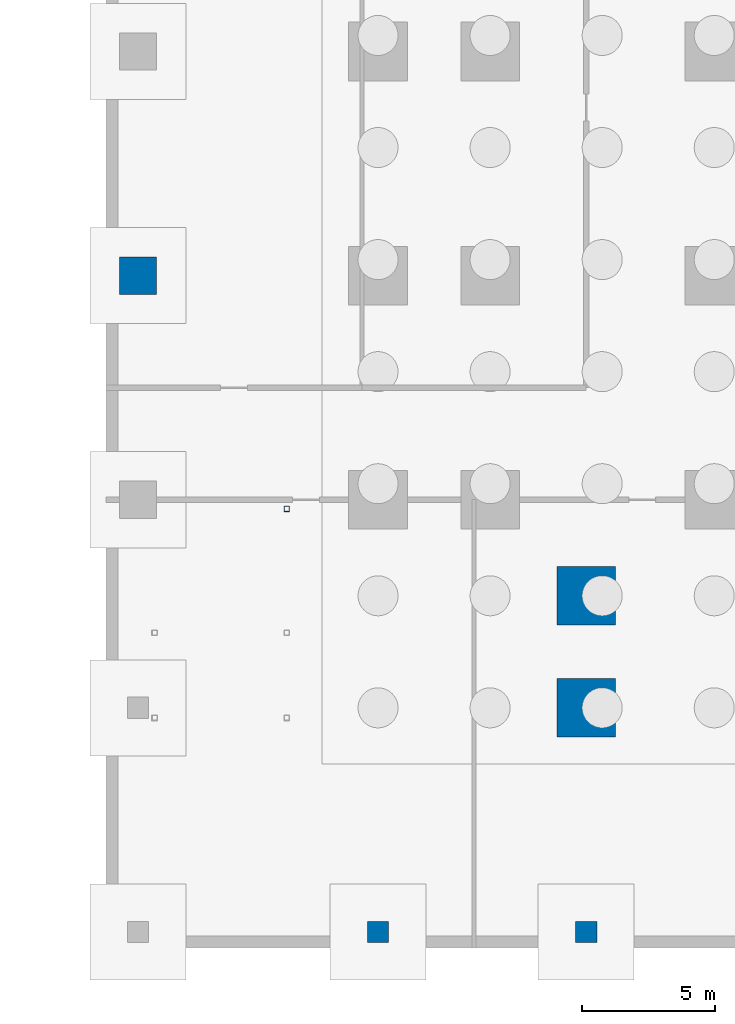
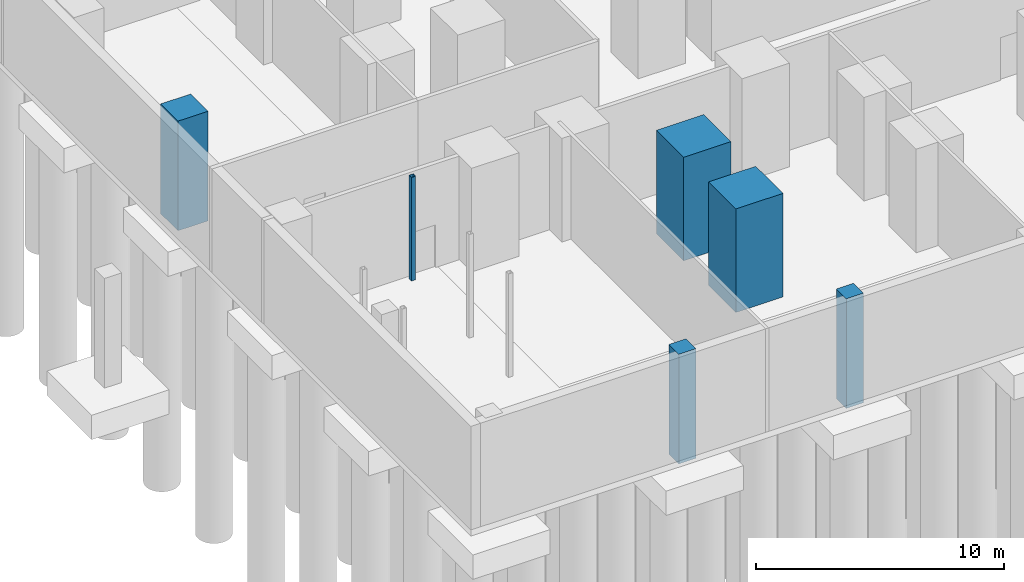
# One storey, part 4 of 18: 6 columns.
"""IFC4 building model written with IfcOpenShell, lengths in metres."""

import ifcopenshell
import ifcopenshell.guid

model = None  # the IFC model being written
_history = None  # IfcOwnerHistory: only IFC2X3 demands one
_inside = {}  # id of a spatial element -> (the spatial element, [elements in it])
_under = {}  # id of a project, library or spatial element -> (it, [spatial elements below it])
_declared = {}  # id of a project -> (the project, [libraries it declares])
_typed = {}  # id of a type object -> (the type object, [elements of that type])
_made_of = {}  # id of a material, layer set ... -> (it, [elements and type objects made of it])


def new_model(schema):
    """Start an empty IFC model of exactly this schema.

    Asked for "IFC4X3", IfcOpenShell would pick the latest addendum, in which some entities
    have other attributes; the version numbers below select the first issue.
    IFC2X3 requires an IfcOwnerHistory on every rooted entity: one is made here for all.
    """
    global model, _history
    if schema == "IFC4X3":
        model = ifcopenshell.file(schema_version=(4, 3, 0, 0))
    else:
        model = ifcopenshell.file(schema=schema)
    _inside.clear()
    _under.clear()
    _declared.clear()
    _typed.clear()
    _made_of.clear()
    _history = None
    if model.schema == "IFC2X3":
        org = make("IfcOrganization", Name="unknown")
        user = make(
            "IfcPersonAndOrganization",
            ThePerson=make("IfcPerson", FamilyName="unknown"),
            TheOrganization=org,
        )
        app = make(
            "IfcApplication",
            ApplicationDeveloper=org,
            Version="unknown",
            ApplicationFullName="unknown",
            ApplicationIdentifier="unknown",
        )
        _history = make(
            "IfcOwnerHistory",
            OwningUser=user,
            OwningApplication=app,
            ChangeAction="ADDED",
            CreationDate=0,
        )
    return model


def make(cls, **values):
    """One entity of the class cls with the attributes given. An attribute that is None is left unset."""
    return model.create_entity(
        cls, **{name: value for name, value in values.items() if value is not None}
    )


def rooted(cls, **values):
    """An entity with a GlobalId (a new one), such as an element, a storey or a relation."""
    return make(cls, GlobalId=ifcopenshell.guid.new(), OwnerHistory=_history, **values)


def si_unit(unit_type, name, prefix=None):
    """IfcSIUnit, for example si_unit("LENGTHUNIT", "METRE", prefix="MILLI")."""
    return make("IfcSIUnit", UnitType=unit_type, Prefix=prefix, Name=name)


def assignment(units):
    """IfcUnitAssignment: the units of a project."""
    return None if units is None else make("IfcUnitAssignment", Units=units)


def point(xyz):
    """IfcCartesianPoint."""
    return None if xyz is None else make("IfcCartesianPoint", Coordinates=xyz)


def direction(xyz):
    """IfcDirection."""
    return None if xyz is None else make("IfcDirection", DirectionRatios=xyz)


def frame(location, z_axis=None, x_axis=None):
    """IfcAxis2Placement3D, a coordinate frame: its origin and axes. An axis left out is left unset."""
    return make(
        "IfcAxis2Placement3D",
        Location=point(location),
        Axis=direction(z_axis),
        RefDirection=direction(x_axis),
    )


def frame_2d(location, x_axis=None):
    """IfcAxis2Placement2D, a coordinate frame in the plane: its origin and x axis."""
    return make(
        "IfcAxis2Placement2D", Location=point(location), RefDirection=direction(x_axis)
    )


def origin():
    """The frame at (0, 0, 0) with its axes left unset."""
    return frame((0.0, 0.0, 0.0))


def origin_2d():
    """The frame at (0, 0) in the plane with its x axis left unset."""
    return frame_2d((0.0, 0.0))


def place(relative_to, where):
    """IfcLocalPlacement: puts the frame where relative to a parent placement (None: the world)."""
    return make(
        "IfcLocalPlacement", PlacementRelTo=relative_to, RelativePlacement=where
    )


def context(
    kind, dimensions, precision=None, world=None, true_north=None, identifier=None
):
    """IfcGeometricRepresentationContext, for example the 3D "Model" context."""
    return make(
        "IfcGeometricRepresentationContext",
        ContextIdentifier=identifier,
        ContextType=kind,
        CoordinateSpaceDimension=dimensions,
        Precision=precision,
        WorldCoordinateSystem=world,
        TrueNorth=true_north,
    )


def subcontext(parent, identifier, kind, view, scale=None):
    """IfcGeometricRepresentationSubContext, for example "Body" below "Model"."""
    return make(
        "IfcGeometricRepresentationSubContext",
        ContextIdentifier=identifier,
        ContextType=kind,
        ParentContext=parent,
        TargetScale=scale,
        TargetView=view,
    )


def project(units=None, contexts=None):
    """IfcProject with its units and contexts."""
    return rooted(
        "IfcProject",
        Name="project",
        RepresentationContexts=contexts,
        UnitsInContext=assignment(units),
    )


def spatial(cls, under=None, at=None, **own):
    """A site, building, storey or space (cls), placed at a placement, below another one or the project."""
    s = rooted(cls, ObjectPlacement=at, **own)
    if under is not None:
        _under.setdefault(under.id(), (under, []))[1].append(s)
    return s


def profile(cls, at=None, kind="AREA", **sizes):
    """A parametric profile (cls). Its sizes go by their IFC names, for example OverallWidth=200.0."""
    return make(cls, ProfileType=kind, Position=at, **sizes)


def rectangle(**sizes):
    """IfcRectangleProfileDef."""
    return profile("IfcRectangleProfileDef", **sizes)


def hollow_rectangle(**sizes):
    """IfcRectangleHollowProfileDef."""
    return profile("IfcRectangleHollowProfileDef", **sizes)


def extrude(swept, where, along, depth):
    """IfcExtrudedAreaSolid: the profile swept, set in the frame where, extruded along a direction by depth."""
    return make(
        "IfcExtrudedAreaSolid",
        SweptArea=swept,
        Position=where,
        ExtrudedDirection=direction(along),
        Depth=depth,
    )


def shape(context_of_items, identifier, shape_type, items):
    """IfcShapeRepresentation: the items that make up one representation, for example the "Body"."""
    return make(
        "IfcShapeRepresentation",
        ContextOfItems=context_of_items,
        RepresentationIdentifier=identifier,
        RepresentationType=shape_type,
        Items=items,
    )


def material(Name=None, Category=None):
    """IfcMaterial."""
    return make("IfcMaterial", Name=Name, Category=Category)


def material_profile(
    of_material, cross_section, Name=None, Category=None, Priority=None
):
    """IfcMaterialProfile: a cross section and its material."""
    return make(
        "IfcMaterialProfile",
        Name=Name,
        Material=of_material,
        Profile=cross_section,
        Priority=Priority,
        Category=Category,
    )


def profile_set(profiles, Name=None, composite=None):
    """IfcMaterialProfileSet."""
    return make(
        "IfcMaterialProfileSet",
        Name=Name,
        MaterialProfiles=profiles,
        CompositeProfile=composite,
    )


def made_of(thing, what):
    """Note that an element or type object is made of a material, layer set ...; save() writes the relation."""
    if what is not None:
        _made_of.setdefault(what.id(), (what, []))[1].append(thing)
    return thing


def type_object(cls, material=None, **own):
    """A type object (cls), such as IfcWallType, which elements share."""
    return made_of(rooted(cls, **own), material)


def element(
    cls,
    number,
    at=None,
    inside=None,
    cuts=None,
    type_object=None,
    material=None,
    context=None,
    identifier="Body",
    shape_type=None,
    held_by="IfcProductDefinitionShape",
    body=None,
    shapes=None,
    **own,
):
    """One element of the class cls, such as IfcWall. Its Tag is "e" and its number.

    at: its placement. inside: the storey or other place that contains it. cuts: it is an
    opening in that element (IfcRelVoidsElement). A single representation is given by context,
    identifier, shape_type and body (its items); several are given by shapes. held_by: the class
    of the entity that holds the representations. save() writes the other relations.
    """
    e = rooted(cls, Tag="e%d" % number, ObjectPlacement=at, **own)
    if body is not None:
        shapes = [shape(context, identifier, shape_type, body)]
    if shapes is not None:
        e.Representation = make(held_by, Representations=shapes)
    if inside is not None:
        _inside.setdefault(inside.id(), (inside, []))[1].append(e)
    if cuts is not None:
        rooted(
            "IfcRelVoidsElement", RelatingBuildingElement=cuts, RelatedOpeningElement=e
        )
    if type_object is not None:
        _typed.setdefault(type_object.id(), (type_object, []))[1].append(e)
    return made_of(e, material)


def aggregate(whole, parts):
    """IfcRelAggregates: a whole, such as a stair, and the parts it consists of."""
    return rooted("IfcRelAggregates", RelatingObject=whole, RelatedObjects=parts)


def save(model, path):
    """Write the relations noted so far, then the file.

    IfcRelAggregates (storeys below a building ...), IfcRelContainedInSpatialStructure (elements
    in a storey), IfcRelDefinesByType, IfcRelAssociatesMaterial and IfcRelDeclares: one each for
    every whole, place, type object, material and project.
    """
    for whole, parts in _under.values():
        aggregate(whole, parts)
    for where, things in _inside.values():
        rooted(
            "IfcRelContainedInSpatialStructure",
            RelatedElements=things,
            RelatingStructure=where,
        )
    for kind, things in _typed.values():
        rooted("IfcRelDefinesByType", RelatedObjects=things, RelatingType=kind)
    for what, things in _made_of.values():
        rooted("IfcRelAssociatesMaterial", RelatedObjects=things, RelatingMaterial=what)
    for by, libraries in _declared.values():
        rooted("IfcRelDeclares", RelatingContext=by, RelatedDefinitions=libraries)
    model.write(path)


model = new_model("IFC4")

# Units and contexts
model_context = context("Model", 3, precision=1e-05, world=origin(), true_north=direction((0.0, 1.0)))
body_context = subcontext(model_context, "Body", "Model", "MODEL_VIEW")
ifc_project = project(units=[si_unit("LENGTHUNIT", "METRE"), si_unit("AREAUNIT", "SQUARE_METRE"), si_unit("VOLUMEUNIT", "CUBIC_METRE"), si_unit("PLANEANGLEUNIT", "RADIAN"), si_unit("MASSUNIT", "GRAM", prefix="KILO")], contexts=[model_context])

# Site, building, storey
site_placement = place(None, origin())
site = spatial("IfcSite", under=ifc_project, at=site_placement, CompositionType="ELEMENT")
building_placement = place(site_placement, origin())
building = spatial("IfcBuilding", under=site, at=building_placement, Name="Dunama Terrace Hotel", CompositionType="ELEMENT")
storey_placement = place(building_placement, frame((0.0, 0.0, -5.39990234375)))
storey = spatial("IfcBuildingStorey", under=building, at=storey_placement, Name="B1", CompositionType="ELEMENT", Elevation=-5.39990234375)

# Columns
ifc_material_1 = material(Name="Concrete C50/60", Category="concrete")
ifc_material_profile_1 = material_profile(ifc_material_1, rectangle(XDim=1.39990234375, YDim=1.39990234375, at=origin_2d()), Name="RC 1400x1400")
ifc_profile_set_1 = profile_set([ifc_material_profile_1], Name="Concrete C50/60")
column_type_1 = type_object("IfcColumnType", Name="Column RC 1400x1400", PredefinedType="COLUMN", material=ifc_profile_set_1)
column_1_placement = place(storey_placement, frame((-8.39990234375, 16.800048828125, -0.300048828125), z_axis=(0.0, 0.0, 1.0), x_axis=(1.0, 0.0, 0.0)))
element("IfcColumn", 1, at=column_1_placement, inside=storey, type_object=column_type_1, Name="Column B1 -8.4/+16.8", PredefinedType="COLUMN", context=body_context, shape_type="SweptSolid", body=[
    extrude(rectangle(XDim=1.39990234375, YDim=1.39990234375, at=origin_2d()), origin(), (0.0, 0.0, 1.0), 5.39990234375),
])
ifc_material_2 = material(Name="Concrete C60/75", Category="concrete")
ifc_material_profile_2 = material_profile(ifc_material_2, rectangle(XDim=2.199951171875, YDim=2.199951171875, at=origin_2d()), Name="RC 2200x2200")
ifc_profile_set_2 = profile_set([ifc_material_profile_2], Name="Concrete C60/75")
column_type_2 = type_object("IfcColumnType", Name="Column RC 2200x2200", PredefinedType="COLUMN", material=ifc_profile_set_2)
for number, where, z_axis, x_axis, name in (
    (2, (8.39990234375, 0.60009765625, 0.0), (0.0, 0.0, 1.0), (1.0, 0.0, 0.0), "Column B1 +8.4/+0.6"),
    (3, (8.39990234375, 4.800048828125, 0.0), (0.0, 0.0, 1.0), (1.0, 0.0, 0.0), "Column B1 +8.4/+4.8"),
):
    element("IfcColumn", number, at=place(storey_placement, frame(where, z_axis=z_axis, x_axis=x_axis)), inside=storey, type_object=column_type_2, Name=name, PredefinedType="COLUMN", context=body_context, shape_type="SweptSolid", body=[
        extrude(rectangle(XDim=2.199951171875, YDim=2.199951171875, at=origin_2d()), origin(), (0.0, 0.0, 1.0), 5.099853515625),
    ])
ifc_material_3 = material(Name="Concrete C40/50", Category="concrete")
ifc_material_profile_3 = material_profile(ifc_material_3, rectangle(XDim=0.800048828125, YDim=0.800048828125, at=origin_2d()), Name="RC 800x800")
ifc_profile_set_3 = profile_set([ifc_material_profile_3], Name="Concrete C40/50")
column_type_3 = type_object("IfcColumnType", Name="Column RC 800x800", PredefinedType="COLUMN", material=ifc_profile_set_3)
for number, where, z_axis, x_axis, name in (
    (4, (0.60009765625, -7.800048828125, -0.300048828125), (0.0, 0.0, 1.0), (1.0, 0.0, 0.0), "Column B1 +0.6/-7.8"),
    (5, (8.39990234375, -7.800048828125, -0.300048828125), (0.0, 0.0, 1.0), (1.0, 0.0, 0.0), "Column B1 +8.4/-7.8"),
):
    element("IfcColumn", number, at=place(storey_placement, frame(where, z_axis=z_axis, x_axis=x_axis)), inside=storey, type_object=column_type_3, Name=name, PredefinedType="COLUMN", context=body_context, shape_type="SweptSolid", body=[
        extrude(rectangle(XDim=0.800048828125, YDim=0.800048828125, at=origin_2d()), origin(), (0.0, 0.0, 1.0), 5.39990234375),
    ])
ifc_material_4 = material(Name="Steel S355", Category="steel")
ifc_material_profile_4 = material_profile(ifc_material_4, hollow_rectangle(XDim=0.199951171875, YDim=0.199951171875, WallThickness=0.010009765625, at=origin_2d()), Name="SHS 200x200x10")
ifc_profile_set_4 = profile_set([ifc_material_profile_4], Name="Steel S355")
column_type_4 = type_object("IfcColumnType", Name="Stair post SHS 200x200x10", PredefinedType="COLUMN", material=ifc_profile_set_4)
column_2_placement = place(storey_placement, frame((-2.824951171875, 8.0576171875, 0.0), z_axis=(0.0, 0.0, 1.0), x_axis=(1.0, 0.0, 0.0)))
element("IfcColumn", 6, at=column_2_placement, inside=storey, type_object=column_type_4, Name="Stair post P4 B1 -2.83/+8.06", PredefinedType="COLUMN", context=body_context, shape_type="SweptSolid", body=[
    extrude(hollow_rectangle(XDim=0.199951171875, YDim=0.199951171875, WallThickness=0.010009765625, at=origin_2d()), origin(), (0.0, 0.0, 1.0), 5.099853515625),
])

save(model, "model.ifc")
